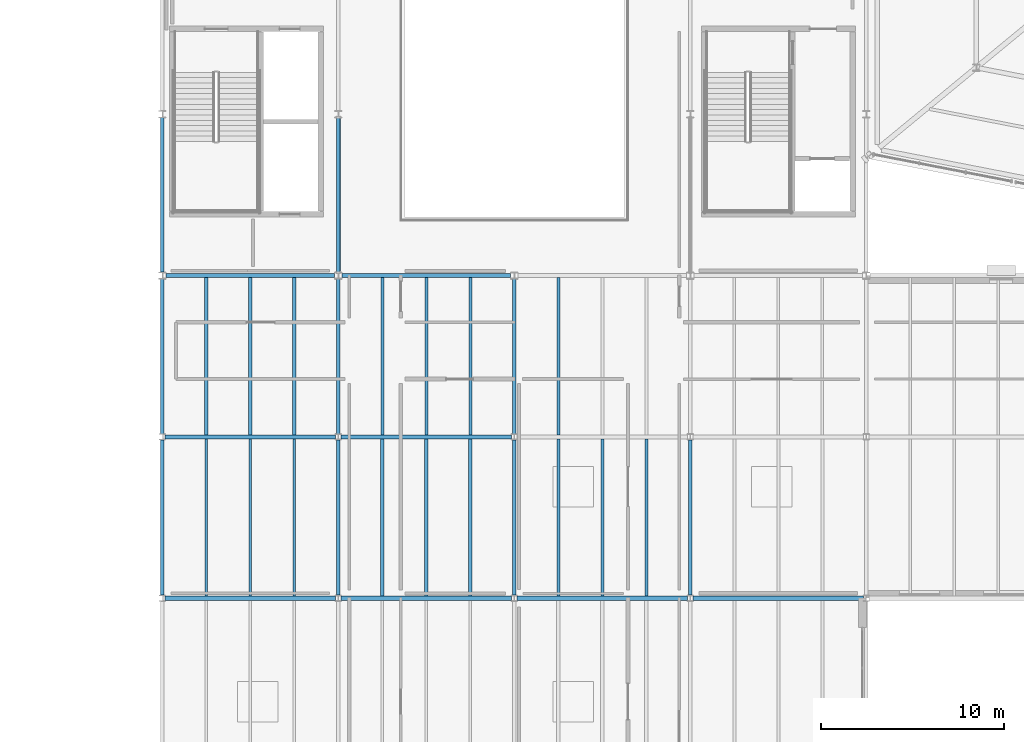
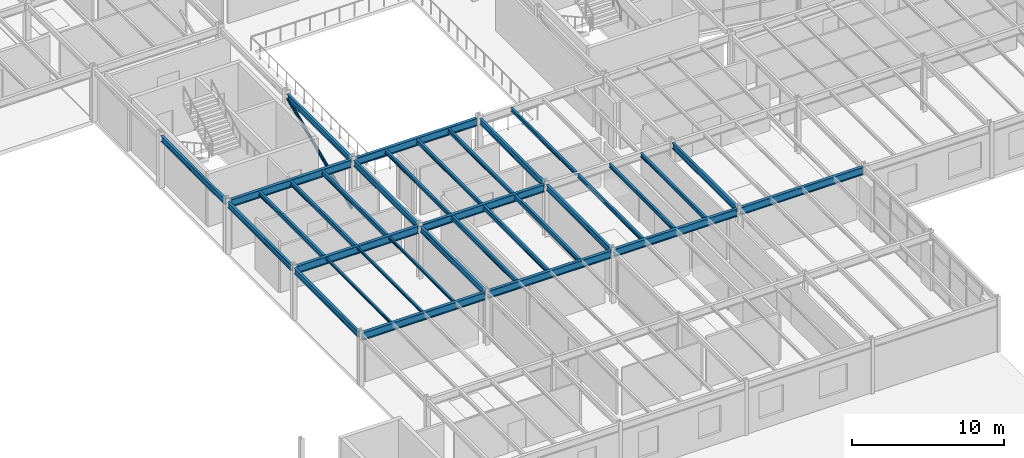
# One storey, part 26 of 77: 33 beams, 1 member.
"""IFC4 building model written with IfcOpenShell, lengths in metres."""

from ifc_helpers import new_model, si_unit, direction, frame, origin, origin_2d, place, context, subcontext, project, spatial, hollow_circle, i_section, extrude, material, material_profile, profile_set, type_object, element, save


model = new_model("IFC4")

# Units and contexts
model_context = context("Model", 3, precision=1e-05, world=origin(), true_north=direction((0.0, 1.0)))
body_context = subcontext(model_context, "Body", "Model", "MODEL_VIEW")
ifc_project = project(units=[si_unit("LENGTHUNIT", "METRE"), si_unit("AREAUNIT", "SQUARE_METRE"), si_unit("VOLUMEUNIT", "CUBIC_METRE"), si_unit("PLANEANGLEUNIT", "RADIAN"), si_unit("MASSUNIT", "GRAM", prefix="KILO")], contexts=[model_context])

# Site, building, storey
site_placement = place(None, origin())
site = spatial("IfcSite", under=ifc_project, at=site_placement, CompositionType="ELEMENT")
building_placement = place(site_placement, origin())
building = spatial("IfcBuilding", under=site, at=building_placement, Name="Sarnbrook Museum", CompositionType="ELEMENT")
storey_placement = place(building_placement, frame((0.0, 0.0, 5.60009765625)))
storey = spatial("IfcBuildingStorey", under=building, at=storey_placement, Name="L01", CompositionType="ELEMENT", Elevation=5.60009765625)

# Beams
ifc_material_1 = material(Name="Structural Steel Grade 300PLUS (AS/NZS 3679.1, fy = 280 MPa for 17 < t <= 40 mm, 300 MPa for t <= 17 mm)", Category="steel")
ifc_material_profile_1 = material_profile(ifc_material_1, i_section(OverallWidth=0.18994140625, OverallDepth=0.45703125, WebThickness=0.009033203125, FlangeThickness=0.014404296875, FilletRadius=0.011474609375, at=origin_2d()), Name="460UB74.6")
ifc_profile_set_1 = profile_set([ifc_material_profile_1], Name="Structural Steel Grade 300PLUS (AS/NZS 3679.1, fy = 280 MPa for 17 < t <= 40 mm, 300 MPa for t <= 17 mm)")
beam_type_1 = type_object("IfcBeamType", Name="BM-UB460", PredefinedType="BEAM", material=ifc_profile_set_1)
beam_1_placement = place(storey_placement, frame((80.800048828125, 39.363525390625, 4.021484375), z_axis=(0.0, 1.0, 0.0), x_axis=(-1.0, 0.0, 0.0)))
element("IfcBeam", 1, at=beam_1_placement, inside=storey, type_object=beam_type_1, Name="Girder 9:E-F L01", PredefinedType="BEAM", context=body_context, shape_type="SweptSolid", body=[
    extrude(i_section(OverallWidth=0.18994140625, OverallDepth=0.45703125, WebThickness=0.009033203125, FlangeThickness=0.014404296875, FilletRadius=0.011474609375, at=origin_2d()), origin(), (0.0, 0.0, 1.0), 8.472900390625),
])
beam_2_placement = place(storey_placement, frame((80.800048828125, 48.16357421875, 4.021484375), z_axis=(0.0, 1.0, 0.0), x_axis=(-1.0, 0.0, 0.0)))
element("IfcBeam", 2, at=beam_2_placement, inside=storey, type_object=beam_type_1, Name="Girder 9:F-G L01", PredefinedType="BEAM", context=body_context, shape_type="SweptSolid", body=[
    extrude(i_section(OverallWidth=0.18994140625, OverallDepth=0.45703125, WebThickness=0.009033203125, FlangeThickness=0.014404296875, FilletRadius=0.011474609375, at=origin_2d()), origin(), (0.0, 0.0, 1.0), 8.4453125),
])
beam_3_placement = place(storey_placement, frame((80.800048828125, 56.990966796875, 4.021484375), z_axis=(0.0, 1.0, 0.0), x_axis=(-1.0, 0.0, 0.0)))
element("IfcBeam", 3, at=beam_3_placement, inside=storey, type_object=beam_type_1, Name="Girder 9:G-H L01", PredefinedType="BEAM", context=body_context, shape_type="SweptSolid", body=[
    extrude(i_section(OverallWidth=0.18994140625, OverallDepth=0.45703125, WebThickness=0.009033203125, FlangeThickness=0.014404296875, FilletRadius=0.011474609375, at=origin_2d()), origin(), (0.0, 0.0, 1.0), 8.41796875),
])
beam_4_placement = place(storey_placement, frame((90.39990234375, 39.363525390625, 4.021484375), z_axis=(0.0, 1.0, 0.0), x_axis=(-1.0, 0.0, 0.0)))
element("IfcBeam", 4, at=beam_4_placement, inside=storey, type_object=beam_type_1, Name="Girder 10:E-F L01", PredefinedType="BEAM", context=body_context, shape_type="SweptSolid", body=[
    extrude(i_section(OverallWidth=0.18994140625, OverallDepth=0.45703125, WebThickness=0.009033203125, FlangeThickness=0.014404296875, FilletRadius=0.011474609375, at=origin_2d()), origin(), (0.0, 0.0, 1.0), 8.472900390625),
])
beam_5_placement = place(storey_placement, frame((90.39990234375, 48.16357421875, 4.021484375), z_axis=(0.0, 1.0, 0.0), x_axis=(-1.0, 0.0, 0.0)))
element("IfcBeam", 5, at=beam_5_placement, inside=storey, type_object=beam_type_1, Name="Girder 10:F-G L01", PredefinedType="BEAM", context=body_context, shape_type="SweptSolid", body=[
    extrude(i_section(OverallWidth=0.18994140625, OverallDepth=0.45703125, WebThickness=0.009033203125, FlangeThickness=0.014404296875, FilletRadius=0.011474609375, at=origin_2d()), origin(), (0.0, 0.0, 1.0), 8.4453125),
])
beam_6_placement = place(storey_placement, frame((90.39990234375, 56.990966796875, 4.021484375), z_axis=(0.0, 1.0, 0.0), x_axis=(-1.0, 0.0, 0.0)))
element("IfcBeam", 6, at=beam_6_placement, inside=storey, type_object=beam_type_1, Name="Girder 10:G-H L01", PredefinedType="BEAM", context=body_context, shape_type="SweptSolid", body=[
    extrude(i_section(OverallWidth=0.18994140625, OverallDepth=0.45703125, WebThickness=0.009033203125, FlangeThickness=0.014404296875, FilletRadius=0.011474609375, at=origin_2d()), origin(), (0.0, 0.0, 1.0), 8.41796875),
])
beam_7_placement = place(storey_placement, frame((100.0, 39.363525390625, 4.021484375), z_axis=(0.0, 1.0, 0.0), x_axis=(-1.0, 0.0, 0.0)))
element("IfcBeam", 7, at=beam_7_placement, inside=storey, type_object=beam_type_1, Name="Girder 11:E-F L01", PredefinedType="BEAM", context=body_context, shape_type="SweptSolid", body=[
    extrude(i_section(OverallWidth=0.18994140625, OverallDepth=0.45703125, WebThickness=0.009033203125, FlangeThickness=0.014404296875, FilletRadius=0.011474609375, at=origin_2d()), origin(), (0.0, 0.0, 1.0), 8.472900390625),
])
beam_8_placement = place(storey_placement, frame((100.0, 48.16357421875, 4.021484375), z_axis=(0.0, 1.0, 0.0), x_axis=(-1.0, 0.0, 0.0)))
element("IfcBeam", 8, at=beam_8_placement, inside=storey, type_object=beam_type_1, Name="Girder 11:F-G L01", PredefinedType="BEAM", context=body_context, shape_type="SweptSolid", body=[
    extrude(i_section(OverallWidth=0.18994140625, OverallDepth=0.45703125, WebThickness=0.009033203125, FlangeThickness=0.014404296875, FilletRadius=0.011474609375, at=origin_2d()), origin(), (0.0, 0.0, 1.0), 8.4453125),
])
beam_9_placement = place(storey_placement, frame((109.60009765625, 39.363525390625, 4.021484375), z_axis=(0.0, 1.0, 0.0), x_axis=(-1.0, 0.0, 0.0)))
element("IfcBeam", 9, at=beam_9_placement, inside=storey, type_object=beam_type_1, Name="Girder 12:E-F L01", PredefinedType="BEAM", context=body_context, shape_type="SweptSolid", body=[
    extrude(i_section(OverallWidth=0.18994140625, OverallDepth=0.45703125, WebThickness=0.009033203125, FlangeThickness=0.014404296875, FilletRadius=0.011474609375, at=origin_2d()), origin(), (0.0, 0.0, 1.0), 8.472900390625),
])
ifc_material_profile_2 = material_profile(ifc_material_1, i_section(OverallWidth=0.22802734375, OverallDepth=0.60693359375, WebThickness=0.01123046875, FlangeThickness=0.017333984375, FilletRadius=0.013916015625, at=origin_2d()), Name="610UB113")
ifc_profile_set_2 = profile_set([ifc_material_profile_2], Name="Structural Steel Grade 300PLUS (AS/NZS 3679.1, fy = 280 MPa for 17 < t <= 40 mm, 300 MPa for t <= 17 mm)")
beam_type_2 = type_object("IfcBeamType", Name="BM-UB610", PredefinedType="BEAM", material=ifc_profile_set_2)
beam_10_placement = place(storey_placement, frame((80.95556640625, 39.199951171875, 3.9462890625), z_axis=(1.0, 0.0, 0.0), x_axis=(0.0, 1.0, 0.0)))
element("IfcBeam", 10, at=beam_10_placement, inside=storey, type_object=beam_type_2, Name="Girder E:9-10 L01", PredefinedType="BEAM", context=body_context, shape_type="SweptSolid", body=[
    extrude(i_section(OverallWidth=0.22802734375, OverallDepth=0.60693359375, WebThickness=0.01123046875, FlangeThickness=0.017333984375, FilletRadius=0.013916015625, at=origin_2d()), origin(), (0.0, 0.0, 1.0), 9.288818359375),
])
for number, where, z_axis, x_axis, name in (
    (11, (90.555419921875, 39.199951171875, 3.9462890625), (1.0, 0.0, 0.0), (0.0, 1.0, 0.0), "Girder E:10-11 L01"),
    (12, (100.155517578125, 39.199951171875, 3.9462890625), (1.0, 0.0, 0.0), (0.0, 1.0, 0.0), "Girder E:11-12 L01"),
):
    element("IfcBeam", number, at=place(storey_placement, frame(where, z_axis=z_axis, x_axis=x_axis)), inside=storey, type_object=beam_type_2, Name=name, PredefinedType="BEAM", context=body_context, shape_type="SweptSolid", body=[
        extrude(i_section(OverallWidth=0.22802734375, OverallDepth=0.60693359375, WebThickness=0.01123046875, FlangeThickness=0.017333984375, FilletRadius=0.013916015625, at=origin_2d()), origin(), (0.0, 0.0, 1.0), 9.2890625),
    ])
for number, where, z_axis, x_axis, name in (
    (13, (109.755615234375, 39.199951171875, 3.9462890625), (1.0, 0.0, 0.0), (0.0, 1.0, 0.0), "Girder E:12-13 L01"),
    (14, (80.95556640625, 48.0, 3.9462890625), (1.0, 0.0, 0.0), (0.0, 1.0, 0.0), "Girder F:9-10 L01"),
):
    element("IfcBeam", number, at=place(storey_placement, frame(where, z_axis=z_axis, x_axis=x_axis)), inside=storey, type_object=beam_type_2, Name=name, PredefinedType="BEAM", context=body_context, shape_type="SweptSolid", body=[
        extrude(i_section(OverallWidth=0.22802734375, OverallDepth=0.60693359375, WebThickness=0.01123046875, FlangeThickness=0.017333984375, FilletRadius=0.013916015625, at=origin_2d()), origin(), (0.0, 0.0, 1.0), 9.288818359375),
    ])
beam_11_placement = place(storey_placement, frame((90.555419921875, 48.0, 3.9462890625), z_axis=(1.0, 0.0, 0.0), x_axis=(0.0, 1.0, 0.0)))
element("IfcBeam", 15, at=beam_11_placement, inside=storey, type_object=beam_type_2, Name="Girder F:10-11 L01", PredefinedType="BEAM", context=body_context, shape_type="SweptSolid", body=[
    extrude(i_section(OverallWidth=0.22802734375, OverallDepth=0.60693359375, WebThickness=0.01123046875, FlangeThickness=0.017333984375, FilletRadius=0.013916015625, at=origin_2d()), origin(), (0.0, 0.0, 1.0), 9.2890625),
])
for number, where, z_axis, x_axis, name in (
    (16, (81.0, 56.800048828125, 3.9462890625), (1.0, 0.0, 0.0), (0.0, 1.0, 0.0), "Girder G:9-10 L01"),
    (17, (90.60009765625, 56.800048828125, 3.9462890625), (1.0, 0.0, 0.0), (0.0, 1.0, 0.0), "Girder G:10-11 L01"),
):
    element("IfcBeam", number, at=place(storey_placement, frame(where, z_axis=z_axis, x_axis=x_axis)), inside=storey, type_object=beam_type_2, Name=name, PredefinedType="BEAM", context=body_context, shape_type="SweptSolid", body=[
        extrude(i_section(OverallWidth=0.22802734375, OverallDepth=0.60693359375, WebThickness=0.01123046875, FlangeThickness=0.017333984375, FilletRadius=0.013916015625, at=origin_2d()), origin(), (0.0, 0.0, 1.0), 9.199951171875),
    ])
ifc_material_profile_3 = material_profile(ifc_material_1, i_section(OverallWidth=0.134033203125, OverallDepth=0.20703125, WebThickness=0.00634765625, FlangeThickness=0.009521484375, FilletRadius=0.0087890625, at=origin_2d()), Name="200UB29.8")
ifc_profile_set_3 = profile_set([ifc_material_profile_3], Name="Structural Steel Grade 300PLUS (AS/NZS 3679.1, fy = 280 MPa for 17 < t <= 40 mm, 300 MPa for t <= 17 mm)")
beam_type_3 = type_object("IfcBeamType", Name="JS-UB200", PredefinedType="JOIST", material=ifc_profile_set_3)
for number, where, z_axis, x_axis, name in (
    (18, (83.199951171875, 39.31396484375, 4.146484375), (0.0, 1.0, 0.0), (-1.0, 0.0, 0.0), "Composite Floor Joist 9E-1 L01"),
    (19, (85.60009765625, 39.31396484375, 4.146484375), (0.0, 1.0, 0.0), (-1.0, 0.0, 0.0), "Composite Floor Joist 9E-2 L01"),
    (20, (88.0, 39.31396484375, 4.146484375), (0.0, 1.0, 0.0), (-1.0, 0.0, 0.0), "Composite Floor Joist 9E-3 L01"),
):
    element("IfcBeam", number, at=place(storey_placement, frame(where, z_axis=z_axis, x_axis=x_axis)), inside=storey, type_object=beam_type_3, Name=name, PredefinedType="JOIST", context=body_context, shape_type="SweptSolid", body=[
        extrude(i_section(OverallWidth=0.134033203125, OverallDepth=0.20703125, WebThickness=0.00634765625, FlangeThickness=0.009521484375, FilletRadius=0.0087890625, at=origin_2d()), origin(), (0.0, 0.0, 1.0), 8.572021484375),
    ])
ifc_material_profile_4 = material_profile(ifc_material_1, i_section(OverallWidth=0.1650390625, OverallDepth=0.303955078125, WebThickness=0.006103515625, FlangeThickness=0.01025390625, FilletRadius=0.011474609375, at=origin_2d()), Name="310UB40.4")
ifc_profile_set_4 = profile_set([ifc_material_profile_4], Name="Structural Steel Grade 300PLUS (AS/NZS 3679.1, fy = 280 MPa for 17 < t <= 40 mm, 300 MPa for t <= 17 mm)")
beam_type_4 = type_object("IfcBeamType", Name="JS-UB310", PredefinedType="JOIST", material=ifc_profile_set_4)
beam_12_placement = place(storey_placement, frame((102.39990234375, 48.114013671875, 4.097900390625), z_axis=(0.0, 1.0, 0.0), x_axis=(-1.0, 0.0, 0.0)))
element("IfcBeam", 21, at=beam_12_placement, inside=storey, type_object=beam_type_4, Name="Composite Floor Joist 11F-1 L01", PredefinedType="JOIST", context=body_context, shape_type="SweptSolid", body=[
    extrude(i_section(OverallWidth=0.1650390625, OverallDepth=0.303955078125, WebThickness=0.006103515625, FlangeThickness=0.01025390625, FilletRadius=0.011474609375, at=origin_2d()), origin(), (0.0, 0.0, 1.0), 8.572021484375),
])
ifc_material_profile_5 = material_profile(ifc_material_1, i_section(OverallWidth=0.166015625, OverallDepth=0.306884765625, WebThickness=0.006591796875, FlangeThickness=0.01171875, FilletRadius=0.011474609375, at=origin_2d()), Name="310UB46.2")
ifc_profile_set_5 = profile_set([ifc_material_profile_5], Name="Structural Steel Grade 300PLUS (AS/NZS 3679.1, fy = 280 MPa for 17 < t <= 40 mm, 300 MPa for t <= 17 mm)")
beam_type_5 = type_object("IfcBeamType", Name="JS-UB310H", PredefinedType="JOIST", material=ifc_profile_set_5)
for number, where, z_axis, x_axis, name in (
    (22, (92.800048828125, 48.114013671875, 4.096435546875), (0.0, 1.0, 0.0), (-1.0, 0.0, 0.0), "Composite Floor Joist 10F-1 L01"),
    (23, (95.199951171875, 48.114013671875, 4.096435546875), (0.0, 1.0, 0.0), (-1.0, 0.0, 0.0), "Composite Floor Joist 10F-2 L01"),
    (24, (97.60009765625, 48.114013671875, 4.096435546875), (0.0, 1.0, 0.0), (-1.0, 0.0, 0.0), "Composite Floor Joist 10F-3 L01"),
    (25, (102.39990234375, 39.31396484375, 4.096435546875), (0.0, 1.0, 0.0), (-1.0, 0.0, 0.0), "Composite Floor Joist 11E-1 L01"),
    (26, (104.800048828125, 39.31396484375, 4.096435546875), (0.0, 1.0, 0.0), (-1.0, 0.0, 0.0), "Composite Floor Joist 11E-2 L01"),
    (27, (107.199951171875, 39.31396484375, 4.096435546875), (0.0, 1.0, 0.0), (-1.0, 0.0, 0.0), "Composite Floor Joist 11E-3 L01"),
):
    element("IfcBeam", number, at=place(storey_placement, frame(where, z_axis=z_axis, x_axis=x_axis)), inside=storey, type_object=beam_type_5, Name=name, PredefinedType="JOIST", context=body_context, shape_type="SweptSolid", body=[
        extrude(i_section(OverallWidth=0.166015625, OverallDepth=0.306884765625, WebThickness=0.006591796875, FlangeThickness=0.01171875, FilletRadius=0.011474609375, at=origin_2d()), origin(), (0.0, 0.0, 1.0), 8.572021484375),
    ])
ifc_material_profile_6 = material_profile(ifc_material_1, i_section(OverallWidth=0.1708984375, OverallDepth=0.35595703125, WebThickness=0.00732421875, FlangeThickness=0.011474609375, FilletRadius=0.011474609375, at=origin_2d()), Name="360UB50.7")
ifc_profile_set_6 = profile_set([ifc_material_profile_6], Name="Structural Steel Grade 300PLUS (AS/NZS 3679.1, fy = 280 MPa for 17 < t <= 40 mm, 300 MPa for t <= 17 mm)")
beam_type_6 = type_object("IfcBeamType", Name="JS-UB360", PredefinedType="JOIST", material=ifc_profile_set_6)
for number, where, z_axis, x_axis, name in (
    (28, (83.199951171875, 48.114013671875, 4.072021484375), (0.0, 1.0, 0.0), (-1.0, 0.0, 0.0), "Composite Floor Joist 9F-1 L01"),
    (29, (85.60009765625, 48.114013671875, 4.072021484375), (0.0, 1.0, 0.0), (-1.0, 0.0, 0.0), "Composite Floor Joist 9F-2 L01"),
    (30, (88.0, 48.114013671875, 4.072021484375), (0.0, 1.0, 0.0), (-1.0, 0.0, 0.0), "Composite Floor Joist 9F-3 L01"),
    (31, (92.800048828125, 39.31396484375, 4.072021484375), (0.0, 1.0, 0.0), (-1.0, 0.0, 0.0), "Composite Floor Joist 10E-1 L01"),
    (32, (95.199951171875, 39.31396484375, 4.072021484375), (0.0, 1.0, 0.0), (-1.0, 0.0, 0.0), "Composite Floor Joist 10E-2 L01"),
    (33, (97.60009765625, 39.31396484375, 4.072021484375), (0.0, 1.0, 0.0), (-1.0, 0.0, 0.0), "Composite Floor Joist 10E-3 L01"),
):
    element("IfcBeam", number, at=place(storey_placement, frame(where, z_axis=z_axis, x_axis=x_axis)), inside=storey, type_object=beam_type_6, Name=name, PredefinedType="JOIST", context=body_context, shape_type="SweptSolid", body=[
        extrude(i_section(OverallWidth=0.1708984375, OverallDepth=0.35595703125, WebThickness=0.00732421875, FlangeThickness=0.011474609375, FilletRadius=0.011474609375, at=origin_2d()), origin(), (0.0, 0.0, 1.0), 8.572021484375),
    ])

# Member
ifc_material_2 = material(Name="Structural Steel Hollow Section Grade C350L0 (AS/NZS 1163, fy = 350 MPa)", Category="steel")
ifc_material_profile_7 = material_profile(ifc_material_2, hollow_circle(Radius=0.109619140625, WallThickness=0.00830078125, at=origin_2d()), Name="219.1x8.2CHS")
ifc_profile_set_7 = profile_set([ifc_material_profile_7], Name="Structural Steel Hollow Section Grade C350L0 (AS/NZS 1163, fy = 350 MPa)")
member_type = type_object("IfcMemberType", Name="MB-CHS219", PredefinedType="BRACE", material=ifc_profile_set_7)
member_placement = place(storey_placement, frame((90.39990234375, 56.97998046875, 0.119873046875), z_axis=(0.0, 0.914658395799, 0.404227682124), x_axis=(-1.0, 0.0, 0.0)))
element("IfcMember", 34, at=member_placement, inside=storey, type_object=member_type, Name="Lateral Diagonal Brace CBF-1 L01", PredefinedType="BRACE", context=body_context, shape_type="SweptSolid", body=[
    extrude(hollow_circle(Radius=0.109619140625, WallThickness=0.00830078125, at=origin_2d()), origin(), (0.0, 0.0, 1.0), 9.2275390625),
])

save(model, "model.ifc")
